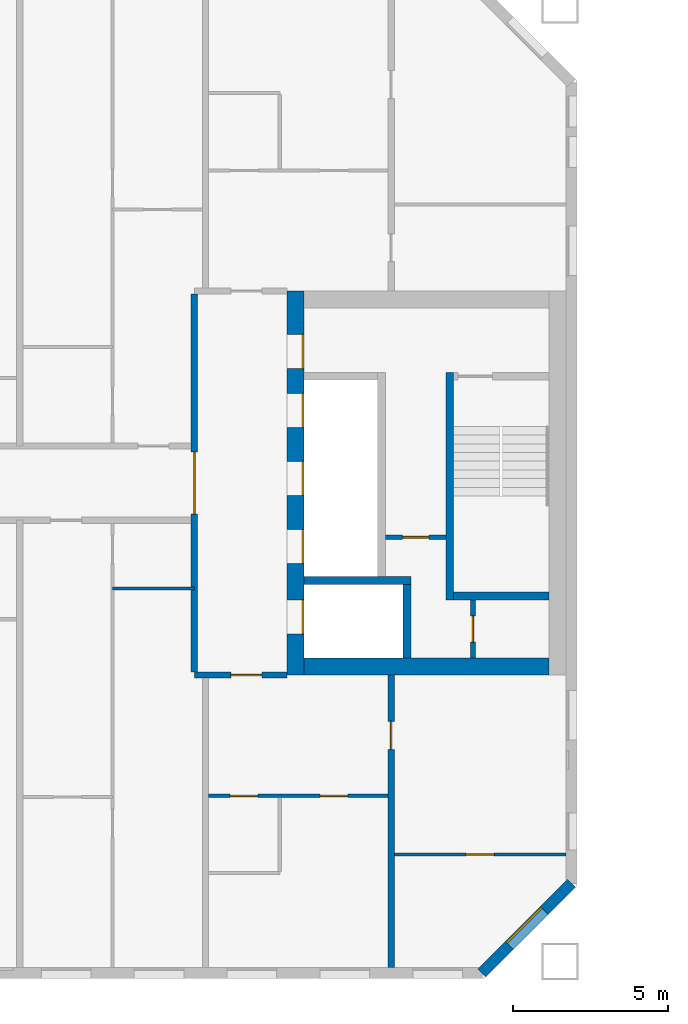
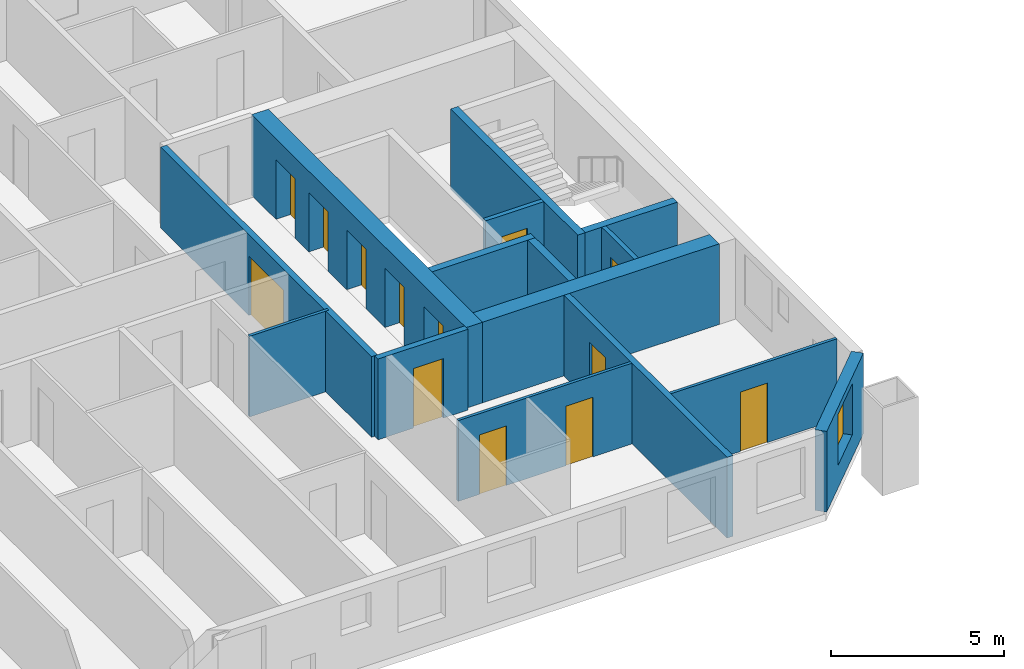
# One storey, part 7 of 16: 15 walls, 13 doors, 1 window, 14 openings.
"""IFC4 building model written with IfcOpenShell, lengths in metres."""

from ifc_helpers import new_model, si_unit, direction, frame, frame_2d, origin, place, context, subcontext, project, spatial, rectangle, extrude, material, layer, layer_set, type_object, element, fill, save


model = new_model("IFC4")

# Units and contexts
model_context = context("Model", 3, precision=1e-05, world=origin(), true_north=direction((0.0, 1.0)))
body_context = subcontext(model_context, "Body", "Model", "MODEL_VIEW")
ifc_project = project(units=[si_unit("LENGTHUNIT", "METRE"), si_unit("AREAUNIT", "SQUARE_METRE"), si_unit("VOLUMEUNIT", "CUBIC_METRE"), si_unit("PLANEANGLEUNIT", "RADIAN"), si_unit("MASSUNIT", "GRAM", prefix="KILO")], contexts=[model_context])

# Site, building, storey
site_placement = place(None, origin())
site = spatial("IfcSite", under=ifc_project, at=site_placement, CompositionType="ELEMENT")
building_placement = place(site_placement, origin())
building = spatial("IfcBuilding", under=site, at=building_placement, Name="Tuart Gate Housing", CompositionType="ELEMENT")
storey_placement = place(building_placement, frame((0.0, 0.0, 136.10009765625)))
storey = spatial("IfcBuildingStorey", under=building, at=storey_placement, Name="L38", CompositionType="ELEMENT", Elevation=136.10009765625)

# Wall, opening, window
ifc_material_1 = material(Name="Brick", Category="masonry")
ifc_layer_1 = layer(ifc_material_1, 0.360107421875)
ifc_layer_set_1 = layer_set([ifc_layer_1], Name="Brick pier and spandrel wall 360")
wall_type_1 = type_object("IfcWallType", Name="Brick pier and spandrel wall 360", PredefinedType="STANDARD", material=ifc_layer_set_1)
wall_1_placement = place(storey_placement, frame((72.92529296875, 54.179931640625, 0.0), z_axis=(0.0, 0.0, 1.0), x_axis=(0.707106781187, 0.707106781187, 0.0)))
wall_1 = element("IfcWall", 1, at=wall_1_placement, inside=storey, type_object=wall_type_1, Name="External wall A-SE L38", PredefinedType="STANDARD", context=body_context, shape_type="SweptSolid", body=[
    extrude(rectangle(XDim=4.09375, YDim=0.360107421875, at=frame_2d((2.046875, 0.0))), origin(), (0.0, 0.0, 1.0), 2.849853515625),
])
opening_1_placement = place(wall_1_placement, frame((1.2470703125, 0.0, 0.800048828125)))
opening_1 = element("IfcOpeningElement", 2, at=opening_1_placement, cuts=wall_1, Name="Opening W1", PredefinedType="OPENING", context=body_context, shape_type="SweptSolid", body=[
    extrude(rectangle(XDim=1.60009765625, YDim=1.800048828125, at=frame_2d((0.800048828125, 0.89990234375))), frame((0.0, 0.18994140625, 0.0), z_axis=(0.0, -1.0, 0.0), x_axis=(1.0, 0.0, 0.0)), (0.0, 0.0, 1.0), 0.380126953125),
])
ifc_material_2 = material(Name="Aluminium frame with clear glass", Category="aluminium")
window_type = type_object("IfcWindowType", Name="Punched window 1600 x 1800", PartitioningType="SINGLE_PANEL", PredefinedType="WINDOW", material=ifc_material_2)
window_placement = place(opening_1_placement, origin())
window = element("IfcWindow", 3, at=window_placement, inside=storey, type_object=window_type, Name="Window W1", OverallHeight=1.800048828125, OverallWidth=1.60009765625, PartitioningType="SINGLE_PANEL", PredefinedType="WINDOW", context=body_context, shape_type="SweptSolid", body=[
    extrude(rectangle(XDim=1.60009765625, YDim=1.800048828125, at=frame_2d((0.800048828125, 0.89990234375))), frame((0.0, 0.150146484375, 0.0), z_axis=(0.0, -1.0, 0.0), x_axis=(1.0, 0.0, 0.0)), (0.0, 0.0, 1.0), 0.06005859375),
])
fill(opening_1, window)

# Wall, opening, door
ifc_material_3 = material(Name="Plasterboard partition")
ifc_layer_2 = layer(ifc_material_3, 0.14990234375)
ifc_layer_set_2 = layer_set([ifc_layer_2], Name="Core partition 150")
wall_type_2 = type_object("IfcWallType", Name="Core partition 150", PredefinedType="PARTITIONING", material=ifc_layer_set_2)
wall_2_placement = place(storey_placement, frame((69.81494140625, 68.25, 0.0), z_axis=(0.0, 0.0, 1.0), x_axis=(1.0, 0.0, 0.0)))
wall_2 = element("IfcWall", 4, at=wall_2_placement, inside=storey, type_object=wall_type_2, Name="Core partition AG.3", PredefinedType="PARTITIONING", context=body_context, shape_type="SweptSolid", body=[
    extrude(rectangle(XDim=1.949951171875, YDim=0.14990234375, at=frame_2d((0.97509765625, 0.0))), origin(), (0.0, 0.0, 1.0), 2.849853515625),
])
opening_2_placement = place(wall_2_placement, frame((0.550048828125, 0.0, 0.0)))
opening_2 = element("IfcOpeningElement", 5, at=opening_2_placement, cuts=wall_2, Name="Opening D1440", PredefinedType="OPENING", context=body_context, shape_type="SweptSolid", body=[
    extrude(rectangle(XDim=0.85009765625, YDim=2.10009765625, at=frame_2d((0.425048828125, 1.050048828125))), frame((0.0, 0.0849609375, 0.0), z_axis=(0.0, -1.0, 0.0), x_axis=(1.0, 0.0, 0.0)), (0.0, 0.0, 1.0), 0.169921875),
])
ifc_material_4 = material(Name="Steel fire door", Category="steel")
door_type_1 = type_object("IfcDoorType", Name="Riser door 850 x 2100 RH", OperationType="SINGLE_SWING_RIGHT", PredefinedType="DOOR", material=ifc_material_4)
door_1_placement = place(opening_2_placement, frame((0.85009765625, 0.0, 0.0), z_axis=(0.0, 0.0, 1.0), x_axis=(-1.0, 0.0, 0.0)))
door_1 = element("IfcDoor", 6, at=door_1_placement, inside=storey, type_object=door_type_1, Name="Service room door AG.E1", OperationType="SINGLE_SWING_RIGHT", OverallHeight=2.10009765625, OverallWidth=0.85009765625, PredefinedType="DOOR", context=body_context, shape_type="SweptSolid", body=[
    extrude(rectangle(XDim=0.85009765625, YDim=2.10009765625, at=frame_2d((0.425048828125, 1.050048828125))), frame((0.0, 0.025146484375, 0.0), z_axis=(0.0, -1.0, 0.0), x_axis=(1.0, 0.0, 0.0)), (0.0, 0.0, 1.0), 0.050048828125),
])
fill(opening_2, door_1)

wall_3_placement = place(storey_placement, frame((72.639892578125, 64.35009765625, 0.0), z_axis=(0.0, 0.0, 1.0), x_axis=(0.0, 1.0, 0.0)))
wall_3 = element("IfcWall", 7, at=wall_3_placement, inside=storey, type_object=wall_type_2, Name="Core partition AG.9", PredefinedType="PARTITIONING", context=body_context, shape_type="SweptSolid", body=[
    extrude(rectangle(XDim=1.875, YDim=0.14990234375, at=frame_2d((0.9375, 0.0))), origin(), (0.0, 0.0, 1.0), 2.849853515625),
])
opening_3_placement = place(wall_3_placement, frame((0.512451171875, 0.0, 0.0)))
opening_3 = element("IfcOpeningElement", 8, at=opening_3_placement, cuts=wall_3, Name="Opening D1442", PredefinedType="OPENING", context=body_context, shape_type="SweptSolid", body=[
    extrude(rectangle(XDim=0.85009765625, YDim=2.10009765625, at=frame_2d((0.425048828125, 1.050048828125))), frame((0.0, 0.0849609375, 0.0), z_axis=(0.0, -1.0, 0.0), x_axis=(1.0, 0.0, 0.0)), (0.0, 0.0, 1.0), 0.169921875),
])
ifc_material_5 = material(Name="Steel fire door", Category="steel")
door_type_2 = type_object("IfcDoorType", Name="Service door 850 x 2100", OperationType="SINGLE_SWING_LEFT", PredefinedType="DOOR", material=ifc_material_5)
door_2_placement = place(opening_3_placement, origin())
door_2 = element("IfcDoor", 9, at=door_2_placement, inside=storey, type_object=door_type_2, Name="Service room door AG.E2", OperationType="SINGLE_SWING_LEFT", OverallHeight=2.10009765625, OverallWidth=0.85009765625, PredefinedType="DOOR", context=body_context, shape_type="SweptSolid", body=[
    extrude(rectangle(XDim=0.85009765625, YDim=2.10009765625, at=frame_2d((0.425048828125, 1.050048828125))), frame((0.0, 0.02490234375, 0.0), z_axis=(0.0, -1.0, 0.0), x_axis=(1.0, 0.0, 0.0)), (0.0, 0.0, 1.0), 0.050048828125),
])
fill(opening_3, door_2)

# Walls
ifc_material_6 = material(Name="Concrete C50", Category="concrete")
ifc_layer_3 = layer(ifc_material_6, 0.25)
ifc_layer_set_3 = layer_set([ifc_layer_3], Name="Core wall 250 C50")
wall_type_3 = type_object("IfcWallType", Name="Core wall 250 C50", PredefinedType="SHEAR", material=ifc_layer_set_3)
wall_4_placement = place(storey_placement, frame((72.014892578125, 66.35009765625, 0.0), z_axis=(0.0, 0.0, 1.0), x_axis=(1.0, 0.0, 0.0)))
element("IfcWall", 10, at=wall_4_placement, inside=storey, type_object=wall_type_3, Name="Core wall AG.1", PredefinedType="SHEAR", context=body_context, shape_type="SweptSolid", body=[
    extrude(rectangle(XDim=3.0751953125, YDim=0.25, at=frame_2d((1.53759765625, 0.0))), origin(), (0.0, 0.0, 1.0), 2.849853515625),
])
wall_5_placement = place(storey_placement, frame((67.18994140625, 66.85009765625, 0.0), z_axis=(0.0, 0.0, 1.0), x_axis=(1.0, 0.0, 0.0)))
element("IfcWall", 11, at=wall_5_placement, inside=storey, type_object=wall_type_3, Name="Core wall AG.2", PredefinedType="SHEAR", context=body_context, shape_type="SweptSolid", body=[
    extrude(rectangle(XDim=3.445068359375, YDim=0.25, at=frame_2d((1.72265625, 0.0))), origin(), (0.0, 0.0, 1.0), 2.849853515625),
])
wall_6_placement = place(storey_placement, frame((70.510009765625, 64.35009765625, 0.0), z_axis=(0.0, 0.0, 1.0), x_axis=(0.0, 1.0, 0.0)))
element("IfcWall", 12, at=wall_6_placement, inside=storey, type_object=wall_type_3, Name="Core wall AG.7", PredefinedType="SHEAR", context=body_context, shape_type="SweptSolid", body=[
    extrude(rectangle(XDim=2.375, YDim=0.25, at=frame_2d((1.1875, 0.0))), origin(), (0.0, 0.0, 1.0), 2.849853515625),
])
wall_7_placement = place(storey_placement, frame((71.889892578125, 66.22509765625, 0.0), z_axis=(0.0, 0.0, 1.0), x_axis=(0.0, 1.0, 0.0)))
element("IfcWall", 13, at=wall_7_placement, inside=storey, type_object=wall_type_3, Name="Core wall AG.8", PredefinedType="SHEAR", context=body_context, shape_type="SweptSolid", body=[
    extrude(rectangle(XDim=7.349853515625, YDim=0.25, at=frame_2d((3.6748046875, 0.0))), origin(), (0.0, 0.0, 1.0), 2.849853515625),
])

# Wall, openings, doors
ifc_material_7 = material(Name="Concrete C50", Category="concrete")
ifc_layer_4 = layer(ifc_material_7, 0.550048828125)
ifc_layer_set_4 = layer_set([ifc_layer_4], Name="Core wall 550 C50")
wall_type_4 = type_object("IfcWallType", Name="Core wall 550 C50", PredefinedType="SHEAR", material=ifc_layer_set_4)
wall_8_placement = place(storey_placement, frame((66.9150390625, 63.800048828125, 0.0), z_axis=(0.0, 0.0, 1.0), x_axis=(0.0, 1.0, 0.0)))
wall_8 = element("IfcWall", 14, at=wall_8_placement, inside=storey, type_object=wall_type_4, Name="Core wall AG front", PredefinedType="SHEAR", context=body_context, shape_type="SweptSolid", body=[
    extrude(rectangle(XDim=12.39990234375, YDim=0.550048828125, at=frame_2d((6.199951171875, 0.0))), origin(), (0.0, 0.0, 1.0), 2.849853515625),
])
opening_4_placement = place(wall_8_placement, frame((1.324951171875, 0.0, 0.0)))
opening_4 = element("IfcOpeningElement", 15, at=opening_4_placement, cuts=wall_8, Name="Opening LD-FA1", PredefinedType="OPENING", context=body_context, shape_type="SweptSolid", body=[
    extrude(rectangle(XDim=1.10009765625, YDim=2.10009765625, at=frame_2d((0.550048828125, 1.050048828125))), frame((0.0, 0.284912109375, 0.0), z_axis=(0.0, -1.0, 0.0), x_axis=(1.0, 0.0, 0.0)), (0.0, 0.0, 1.0), 0.570068359375),
])
opening_5_placement = place(wall_8_placement, frame((3.60009765625, 0.0, 0.0)))
opening_5 = element("IfcOpeningElement", 16, at=opening_5_placement, cuts=wall_8, Name="Opening LD-LA1", PredefinedType="OPENING", context=body_context, shape_type="SweptSolid", body=[
    extrude(rectangle(XDim=1.10009765625, YDim=2.10009765625, at=frame_2d((0.550048828125, 1.050048828125))), frame((0.0, 0.284912109375, 0.0), z_axis=(0.0, -1.0, 0.0), x_axis=(1.0, 0.0, 0.0)), (0.0, 0.0, 1.0), 0.570068359375),
])
opening_6_placement = place(wall_8_placement, frame((5.800048828125, 0.0, 0.0)))
opening_6 = element("IfcOpeningElement", 17, at=opening_6_placement, cuts=wall_8, Name="Opening LD-LA2", PredefinedType="OPENING", context=body_context, shape_type="SweptSolid", body=[
    extrude(rectangle(XDim=1.10009765625, YDim=2.10009765625, at=frame_2d((0.550048828125, 1.050048828125))), frame((0.0, 0.284912109375, 0.0), z_axis=(0.0, -1.0, 0.0), x_axis=(1.0, 0.0, 0.0)), (0.0, 0.0, 1.0), 0.570068359375),
])
opening_7_placement = place(wall_8_placement, frame((8.0, 0.0, 0.0)))
opening_7 = element("IfcOpeningElement", 18, at=opening_7_placement, cuts=wall_8, Name="Opening LD-LA3", PredefinedType="OPENING", context=body_context, shape_type="SweptSolid", body=[
    extrude(rectangle(XDim=1.10009765625, YDim=2.10009765625, at=frame_2d((0.550048828125, 1.050048828125))), frame((0.0, 0.284912109375, 0.0), z_axis=(0.0, -1.0, 0.0), x_axis=(1.0, 0.0, 0.0)), (0.0, 0.0, 1.0), 0.570068359375),
])
opening_8_placement = place(wall_8_placement, frame((9.89990234375, 0.0, 0.0)))
opening_8 = element("IfcOpeningElement", 19, at=opening_8_placement, cuts=wall_8, Name="Opening D1436", PredefinedType="OPENING", context=body_context, shape_type="SweptSolid", body=[
    extrude(rectangle(XDim=1.10009765625, YDim=2.10009765625, at=frame_2d((0.550048828125, 1.050048828125))), frame((0.0, 0.284912109375, 0.0), z_axis=(0.0, -1.0, 0.0), x_axis=(1.0, 0.0, 0.0)), (0.0, 0.0, 1.0), 0.570068359375),
])
ifc_material_8 = material(Name="Stainless steel", Category="steel")
door_type_3 = type_object("IfcDoorType", Name="Landing door 1100 x 2100", OperationType="DOUBLE_DOOR_SLIDING", PredefinedType="DOOR", material=ifc_material_8)
door_3_placement = place(opening_4_placement, origin())
door_3 = element("IfcDoor", 20, at=door_3_placement, inside=storey, type_object=door_type_3, Name="Lift landing door FA1", OperationType="DOUBLE_DOOR_SLIDING", OverallHeight=2.10009765625, OverallWidth=1.10009765625, PredefinedType="DOOR", context=body_context, shape_type="SweptSolid", body=[
    extrude(rectangle(XDim=1.10009765625, YDim=2.10009765625, at=frame_2d((0.550048828125, 1.050048828125))), frame((0.0, -0.2099609375, 0.0), z_axis=(0.0, -1.0, 0.0), x_axis=(1.0, 0.0, 0.0)), (0.0, 0.0, 1.0), 0.050048828125),
])
fill(opening_4, door_3)
door_4_placement = place(opening_5_placement, origin())
door_4 = element("IfcDoor", 21, at=door_4_placement, inside=storey, type_object=door_type_3, Name="Lift landing door LA1", OperationType="DOUBLE_DOOR_SLIDING", OverallHeight=2.10009765625, OverallWidth=1.10009765625, PredefinedType="DOOR", context=body_context, shape_type="SweptSolid", body=[
    extrude(rectangle(XDim=1.10009765625, YDim=2.10009765625, at=frame_2d((0.550048828125, 1.050048828125))), frame((0.0, -0.2099609375, 0.0), z_axis=(0.0, -1.0, 0.0), x_axis=(1.0, 0.0, 0.0)), (0.0, 0.0, 1.0), 0.050048828125),
])
fill(opening_5, door_4)
door_5_placement = place(opening_6_placement, origin())
door_5 = element("IfcDoor", 22, at=door_5_placement, inside=storey, type_object=door_type_3, Name="Lift landing door LA2", OperationType="DOUBLE_DOOR_SLIDING", OverallHeight=2.10009765625, OverallWidth=1.10009765625, PredefinedType="DOOR", context=body_context, shape_type="SweptSolid", body=[
    extrude(rectangle(XDim=1.10009765625, YDim=2.10009765625, at=frame_2d((0.550048828125, 1.050048828125))), frame((0.0, -0.2099609375, 0.0), z_axis=(0.0, -1.0, 0.0), x_axis=(1.0, 0.0, 0.0)), (0.0, 0.0, 1.0), 0.050048828125),
])
fill(opening_6, door_5)
door_6_placement = place(opening_7_placement, origin())
door_6 = element("IfcDoor", 23, at=door_6_placement, inside=storey, type_object=door_type_3, Name="Lift landing door LA3", OperationType="DOUBLE_DOOR_SLIDING", OverallHeight=2.10009765625, OverallWidth=1.10009765625, PredefinedType="DOOR", context=body_context, shape_type="SweptSolid", body=[
    extrude(rectangle(XDim=1.10009765625, YDim=2.10009765625, at=frame_2d((0.550048828125, 1.050048828125))), frame((0.0, -0.2099609375, 0.0), z_axis=(0.0, -1.0, 0.0), x_axis=(1.0, 0.0, 0.0)), (0.0, 0.0, 1.0), 0.050048828125),
])
fill(opening_7, door_6)
ifc_material_9 = material(Name="Steel fire door", Category="steel")
door_type_4 = type_object("IfcDoorType", Name="Lobby door 1100 x 2100 RH", OperationType="SINGLE_SWING_RIGHT", PredefinedType="DOOR", material=ifc_material_9)
door_7_placement = place(opening_8_placement, frame((1.10009765625, 0.0, 0.0), z_axis=(0.0, 0.0, 1.0), x_axis=(-1.0, 0.0, 0.0)))
door_7 = element("IfcDoor", 24, at=door_7_placement, inside=storey, type_object=door_type_4, Name="Lobby entry door AG.EN", OperationType="SINGLE_SWING_RIGHT", OverallHeight=2.10009765625, OverallWidth=1.10009765625, PredefinedType="DOOR", context=body_context, shape_type="SweptSolid", body=[
    extrude(rectangle(XDim=1.10009765625, YDim=2.10009765625, at=frame_2d((0.550048828125, 1.050048828125))), frame((0.0, 0.260009765625, 0.0), z_axis=(0.0, -1.0, 0.0), x_axis=(1.0, 0.0, 0.0)), (0.0, 0.0, 1.0), 0.050048828125),
])
fill(opening_8, door_7)

# Wall
wall_9_placement = place(storey_placement, frame((67.18994140625, 64.074951171875, 0.0), z_axis=(0.0, 0.0, 1.0), x_axis=(1.0, 0.0, 0.0)))
element("IfcWall", 25, at=wall_9_placement, inside=storey, type_object=wall_type_4, Name="Core wall AG south", PredefinedType="SHEAR", context=body_context, shape_type="SweptSolid", body=[
    extrude(rectangle(XDim=7.900146484375, YDim=0.550048828125, at=frame_2d((3.9501953125, 0.0))), origin(), (0.0, 0.0, 1.0), 2.849853515625),
])

# Wall, opening, door
ifc_material_10 = material(Name="Concrete masonry 15 MPa", Category="masonry")
ifc_layer_5 = layer(ifc_material_10, 0.199951171875)
ifc_layer_set_5 = layer_set([ifc_layer_5], Name="Enclosure wall masonry 200")
wall_type_5 = type_object("IfcWallType", Name="Enclosure wall masonry 200", PredefinedType="PARTITIONING", material=ifc_layer_set_5)
wall_10_placement = place(storey_placement, frame((63.639892578125, 63.800048828125, 0.0), z_axis=(0.0, 0.0, 1.0), x_axis=(1.0, 0.0, 0.0)))
wall_10 = element("IfcWall", 26, at=wall_10_placement, inside=storey, type_object=wall_type_5, Name="Enclosure wall masonry 200", PredefinedType="PARTITIONING", context=body_context, shape_type="SweptSolid", body=[
    extrude(rectangle(XDim=3.0, YDim=0.199951171875, at=frame_2d((1.5, 0.0))), origin(), (0.0, 0.0, 1.0), 2.849853515625),
])
opening_9_placement = place(wall_10_placement, frame((1.179931640625, 0.0, 0.0)))
opening_9 = element("IfcOpeningElement", 27, at=opening_9_placement, cuts=wall_10, Name="Opening D1444", PredefinedType="OPENING", context=body_context, shape_type="SweptSolid", body=[
    extrude(rectangle(XDim=1.0, YDim=2.10009765625, at=frame_2d((0.5, 1.050048828125))), frame((0.0, 0.10986328125, 0.0), z_axis=(0.0, -1.0, 0.0), x_axis=(1.0, 0.0, 0.0)), (0.0, 0.0, 1.0), 0.219970703125),
])
ifc_material_11 = material(Name="Timber door leaf in steel frame", Category="steel")
door_type_5 = type_object("IfcDoorType", Name="Flat entrance door 1000 RH", OperationType="SINGLE_SWING_RIGHT", PredefinedType="DOOR", material=ifc_material_11)
door_8_placement = place(opening_9_placement, frame((1.0, 0.0, 0.0), z_axis=(0.0, 0.0, 1.0), x_axis=(-1.0, 0.0, 0.0)))
door_8 = element("IfcDoor", 28, at=door_8_placement, inside=storey, type_object=door_type_5, Name="Flat entrance door", OperationType="SINGLE_SWING_RIGHT", OverallHeight=2.10009765625, OverallWidth=1.0, PredefinedType="DOOR", context=body_context, shape_type="SweptSolid", body=[
    extrude(rectangle(XDim=1.0, YDim=2.10009765625, at=frame_2d((0.5, 1.050048828125))), frame((0.0, 0.025146484375, 0.0), z_axis=(0.0, -1.0, 0.0), x_axis=(1.0, 0.0, 0.0)), (0.0, 0.0, 1.0), 0.050048828125),
])
fill(opening_9, door_8)

ifc_material_12 = material(Name="Plasterboard partition")
ifc_layer_6 = layer(ifc_material_12, 0.199951171875)
ifc_layer_set_6 = layer_set([ifc_layer_6], Name="Lobby wall 200")
wall_type_6 = type_object("IfcWallType", Name="Lobby wall 200", PredefinedType="PARTITIONING", material=ifc_layer_set_6)
wall_11_placement = place(storey_placement, frame((63.639892578125, 63.89990234375, 0.0), z_axis=(0.0, 0.0, 1.0), x_axis=(0.0, 1.0, 0.0)))
wall_11 = element("IfcWall", 29, at=wall_11_placement, inside=storey, type_object=wall_type_6, Name="Lift lobby wall AG", PredefinedType="PARTITIONING", context=body_context, shape_type="SweptSolid", body=[
    extrude(rectangle(XDim=12.2001953125, YDim=0.199951171875, at=frame_2d((6.10009765625, 0.0))), origin(), (0.0, 0.0, 1.0), 2.849853515625),
])
opening_10_placement = place(wall_11_placement, frame((5.10009765625, 0.0, 0.0)))
opening_10 = element("IfcOpeningElement", 30, at=opening_10_placement, cuts=wall_11, Name="Opening D1435", PredefinedType="OPENING", context=body_context, shape_type="SweptSolid", body=[
    extrude(rectangle(XDim=2.0, YDim=2.10009765625, at=frame_2d((1.0, 1.050048828125))), frame((0.0, 0.10986328125, 0.0), z_axis=(0.0, -1.0, 0.0), x_axis=(1.0, 0.0, 0.0)), (0.0, 0.0, 1.0), 0.219970703125),
])
ifc_material_13 = material(Name="Steel fire door", Category="steel")
door_type_6 = type_object("IfcDoorType", Name="Smoke door 2000 x 2100", OperationType="DOUBLE_DOOR_SINGLE_SWING", PredefinedType="DOOR", material=ifc_material_13)
door_9_placement = place(opening_10_placement, frame((2.0, 0.0, 0.0), z_axis=(0.0, 0.0, 1.0), x_axis=(-1.0, 0.0, 0.0)))
door_9 = element("IfcDoor", 31, at=door_9_placement, inside=storey, type_object=door_type_6, Name="Lift lobby smoke door AG", OperationType="DOUBLE_DOOR_SINGLE_SWING", OverallHeight=2.10009765625, OverallWidth=2.0, PredefinedType="DOOR", context=body_context, shape_type="SweptSolid", body=[
    extrude(rectangle(XDim=2.0, YDim=2.10009765625, at=frame_2d((1.0, 1.050048828125))), frame((0.0, 0.025146484375, 0.0), z_axis=(0.0, -1.0, 0.0), x_axis=(1.0, 0.0, 0.0)), (0.0, 0.0, 1.0), 0.050048828125),
])
fill(opening_10, door_9)

ifc_material_14 = material(Name="Gypsum board on steel studs", Category="steel")
ifc_layer_7 = layer(ifc_material_14, 0.10009765625)
ifc_layer_set_7 = layer_set([ifc_layer_7], Name="Partition 100")
wall_type_7 = type_object("IfcWallType", Name="Partition 100", PredefinedType="PARTITIONING", material=ifc_layer_set_7)
wall_12_placement = place(storey_placement, frame((70.10009765625, 58.0, 0.0), z_axis=(0.0, 0.0, 1.0), x_axis=(1.0, 0.0, 0.0)))
wall_12 = element("IfcWall", 32, at=wall_12_placement, inside=storey, type_object=wall_type_7, Name="Partition 100", PredefinedType="PARTITIONING", context=body_context, shape_type="SweptSolid", body=[
    extrude(rectangle(XDim=5.539794921875, YDim=0.10009765625, at=frame_2d((2.77001953125, 0.0))), origin(), (0.0, 0.0, 1.0), 2.849853515625),
])
opening_11_placement = place(wall_12_placement, frame((2.320068359375, 0.0, 0.0)))
opening_11 = element("IfcOpeningElement", 33, at=opening_11_placement, cuts=wall_12, Name="Opening D1463", PredefinedType="OPENING", context=body_context, shape_type="SweptSolid", body=[
    extrude(rectangle(XDim=0.89990234375, YDim=2.10009765625, at=frame_2d((0.449951171875, 1.050048828125))), frame((0.0, 0.06005859375, 0.0), z_axis=(0.0, -1.0, 0.0), x_axis=(1.0, 0.0, 0.0)), (0.0, 0.0, 1.0), 0.1201171875),
])
ifc_material_15 = material(Name="Timber door leaf in steel frame", Category="steel")
door_type_7 = type_object("IfcDoorType", Name="Internal door 900", OperationType="SINGLE_SWING_LEFT", PredefinedType="DOOR", material=ifc_material_15)
door_10_placement = place(opening_11_placement, frame((0.89990234375, 0.0, 0.0), z_axis=(0.0, 0.0, 1.0), x_axis=(-1.0, 0.0, 0.0)))
door_10 = element("IfcDoor", 34, at=door_10_placement, inside=storey, type_object=door_type_7, Name="Internal door", OperationType="SINGLE_SWING_LEFT", OverallHeight=2.10009765625, OverallWidth=0.89990234375, PredefinedType="DOOR", context=body_context, shape_type="SweptSolid", body=[
    extrude(rectangle(XDim=0.89990234375, YDim=2.10009765625, at=frame_2d((0.449951171875, 1.050048828125))), frame((0.0, 0.025146484375, 0.0), z_axis=(0.0, -1.0, 0.0), x_axis=(1.0, 0.0, 0.0)), (0.0, 0.0, 1.0), 0.050048828125),
])
fill(opening_11, door_10)

# Wall, openings, doors
wall_13_placement = place(storey_placement, frame((64.10009765625, 59.89990234375, 0.0), z_axis=(0.0, 0.0, 1.0), x_axis=(1.0, 0.0, 0.0)))
wall_13 = element("IfcWall", 35, at=wall_13_placement, inside=storey, type_object=wall_type_7, Name="Partition 100", PredefinedType="PARTITIONING", context=body_context, shape_type="SweptSolid", body=[
    extrude(rectangle(XDim=5.7998046875, YDim=0.10009765625, at=frame_2d((2.89990234375, 0.0))), origin(), (0.0, 0.0, 1.0), 2.849853515625),
])
opening_12_placement = place(wall_13_placement, frame((3.60009765625, 0.0, 0.0)))
opening_12 = element("IfcOpeningElement", 36, at=opening_12_placement, cuts=wall_13, Name="Opening D1457", PredefinedType="OPENING", context=body_context, shape_type="SweptSolid", body=[
    extrude(rectangle(XDim=0.89990234375, YDim=2.10009765625, at=frame_2d((0.449951171875, 1.050048828125))), frame((0.0, 0.06005859375, 0.0), z_axis=(0.0, -1.0, 0.0), x_axis=(1.0, 0.0, 0.0)), (0.0, 0.0, 1.0), 0.1201171875),
])
opening_13_placement = place(wall_13_placement, frame((0.699951171875, 0.0, 0.0)))
opening_13 = element("IfcOpeningElement", 37, at=opening_13_placement, cuts=wall_13, Name="Opening D1456", PredefinedType="OPENING", context=body_context, shape_type="SweptSolid", body=[
    extrude(rectangle(XDim=0.89990234375, YDim=2.10009765625, at=frame_2d((0.449951171875, 1.050048828125))), frame((0.0, 0.06005859375, 0.0), z_axis=(0.0, -1.0, 0.0), x_axis=(1.0, 0.0, 0.0)), (0.0, 0.0, 1.0), 0.1201171875),
])
ifc_material_16 = material(Name="Timber door leaf in steel frame", Category="steel")
door_type_8 = type_object("IfcDoorType", Name="Bathroom door 900", OperationType="SINGLE_SWING_LEFT", PredefinedType="DOOR", material=ifc_material_16)
door_11_placement = place(opening_13_placement, frame((0.89990234375, 0.0, 0.0), z_axis=(0.0, 0.0, 1.0), x_axis=(-1.0, 0.0, 0.0)))
door_11 = element("IfcDoor", 38, at=door_11_placement, inside=storey, type_object=door_type_8, Name="Bathroom door", OperationType="SINGLE_SWING_LEFT", OverallHeight=2.10009765625, OverallWidth=0.89990234375, PredefinedType="DOOR", context=body_context, shape_type="SweptSolid", body=[
    extrude(rectangle(XDim=0.89990234375, YDim=2.10009765625, at=frame_2d((0.449951171875, 1.050048828125))), frame((0.0, 0.025146484375, 0.0), z_axis=(0.0, -1.0, 0.0), x_axis=(1.0, 0.0, 0.0)), (0.0, 0.0, 1.0), 0.050048828125),
])
fill(opening_13, door_11)
ifc_material_17 = material(Name="Timber door leaf in steel frame", Category="steel")
door_type_9 = type_object("IfcDoorType", Name="Internal door 900 RH", OperationType="SINGLE_SWING_RIGHT", PredefinedType="DOOR", material=ifc_material_17)
door_12_placement = place(opening_12_placement, frame((0.89990234375, 0.0, 0.0), z_axis=(0.0, 0.0, 1.0), x_axis=(-1.0, 0.0, 0.0)))
door_12 = element("IfcDoor", 39, at=door_12_placement, inside=storey, type_object=door_type_9, Name="Internal door", OperationType="SINGLE_SWING_RIGHT", OverallHeight=2.10009765625, OverallWidth=0.89990234375, PredefinedType="DOOR", context=body_context, shape_type="SweptSolid", body=[
    extrude(rectangle(XDim=0.89990234375, YDim=2.10009765625, at=frame_2d((0.449951171875, 1.050048828125))), frame((0.0, 0.025146484375, 0.0), z_axis=(0.0, -1.0, 0.0), x_axis=(1.0, 0.0, 0.0)), (0.0, 0.0, 1.0), 0.050048828125),
])
fill(opening_12, door_12)

# Wall
wall_14_placement = place(storey_placement, frame((61.0, 66.60009765625, 0.0), z_axis=(0.0, 0.0, 1.0), x_axis=(1.0, 0.0, 0.0)))
element("IfcWall", 40, at=wall_14_placement, inside=storey, type_object=wall_type_7, Name="Partition 100", PredefinedType="PARTITIONING", context=body_context, shape_type="SweptSolid", body=[
    extrude(rectangle(XDim=2.639892578125, YDim=0.10009765625, at=frame_2d((1.31982421875, 0.0))), origin(), (0.0, 0.0, 1.0), 2.849853515625),
])

# Wall, opening, door
ifc_material_18 = material(Name="Concrete C40", Category="concrete")
ifc_layer_8 = layer(ifc_material_18, 0.199951171875)
ifc_layer_set_8 = layer_set([ifc_layer_8], Name="Party wall concrete C40 200")
wall_type_8 = type_object("IfcWallType", Name="Party wall concrete C40 200", PredefinedType="SOLIDWALL", material=ifc_layer_set_8)
wall_15_placement = place(storey_placement, frame((70.0, 54.360107421875, 0.0), z_axis=(0.0, 0.0, 1.0), x_axis=(0.0, 1.0, 0.0)))
wall_15 = element("IfcWall", 41, at=wall_15_placement, inside=storey, type_object=wall_type_8, Name="Party wall concrete C40 200", PredefinedType="SOLIDWALL", context=body_context, shape_type="SweptSolid", body=[
    extrude(rectangle(XDim=9.43994140625, YDim=0.199951171875, at=frame_2d((4.719970703125, 0.0))), origin(), (0.0, 0.0, 1.0), 2.849853515625),
])
opening_14_placement = place(wall_15_placement, frame((7.0400390625, 0.0, 0.0)))
opening_14 = element("IfcOpeningElement", 42, at=opening_14_placement, cuts=wall_15, Name="Opening D1462", PredefinedType="OPENING", context=body_context, shape_type="SweptSolid", body=[
    extrude(rectangle(XDim=0.89990234375, YDim=2.10009765625, at=frame_2d((0.449951171875, 1.050048828125))), frame((0.0, 0.10986328125, 0.0), z_axis=(0.0, -1.0, 0.0), x_axis=(1.0, 0.0, 0.0)), (0.0, 0.0, 1.0), 0.219970703125),
])
door_13_placement = place(opening_14_placement, origin())
door_13 = element("IfcDoor", 43, at=door_13_placement, inside=storey, type_object=door_type_7, Name="Internal door", OperationType="SINGLE_SWING_LEFT", OverallHeight=2.10009765625, OverallWidth=0.89990234375, PredefinedType="DOOR", context=body_context, shape_type="SweptSolid", body=[
    extrude(rectangle(XDim=0.89990234375, YDim=2.10009765625, at=frame_2d((0.449951171875, 1.050048828125))), frame((0.0, 0.02490234375, 0.0), z_axis=(0.0, -1.0, 0.0), x_axis=(1.0, 0.0, 0.0)), (0.0, 0.0, 1.0), 0.050048828125),
])
fill(opening_14, door_13)

save(model, "model.ifc")
